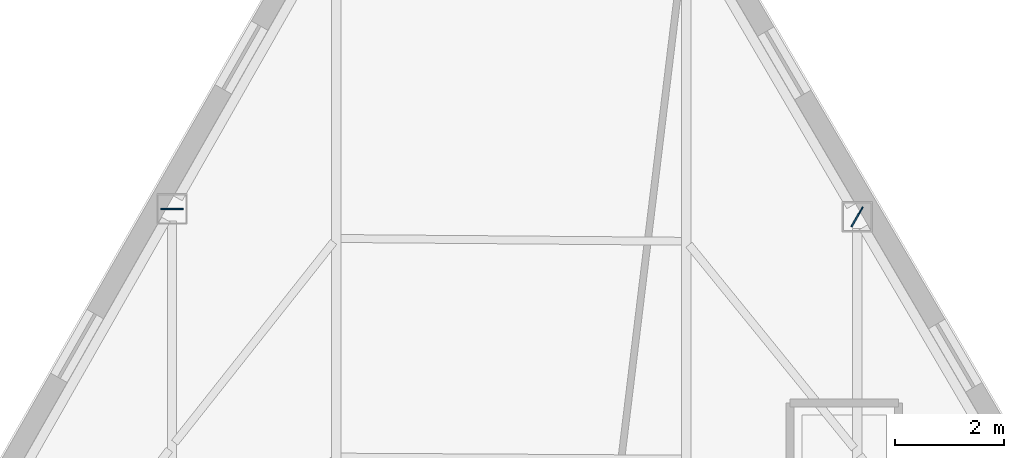
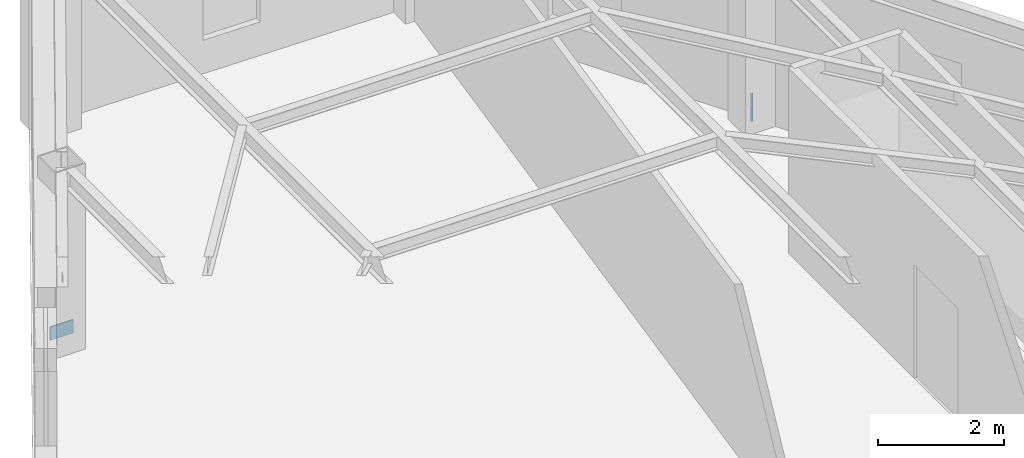
# One storey, part 6 of 10: 2 plates.
"""IFC4 building model written with IfcOpenShell, lengths in metres."""

from ifc_helpers import new_model, si_unit, direction, frame, origin, origin_2d, place, context, subcontext, project, spatial, rectangle, extrude, material, layer, layer_set, type_object, element, save


model = new_model("IFC4")

# Units and contexts
model_context = context("Model", 3, precision=1e-05, world=origin(), true_north=direction((0.0, 1.0)))
body_context = subcontext(model_context, "Body", "Model", "MODEL_VIEW")
ifc_project = project(units=[si_unit("LENGTHUNIT", "METRE"), si_unit("AREAUNIT", "SQUARE_METRE"), si_unit("VOLUMEUNIT", "CUBIC_METRE"), si_unit("PLANEANGLEUNIT", "RADIAN"), si_unit("MASSUNIT", "GRAM", prefix="KILO")], contexts=[model_context])

# Site, building, storey
site_placement = place(None, origin())
site = spatial("IfcSite", under=ifc_project, at=site_placement, CompositionType="ELEMENT")
building_placement = place(site_placement, origin())
building = spatial("IfcBuilding", under=site, at=building_placement, Name="Kavelnor Concourse Tower", CompositionType="ELEMENT")
storey_placement = place(building_placement, frame((0.0, 0.0, 254.89990234375)))
storey = spatial("IfcBuildingStorey", under=building, at=storey_placement, Name="L64", CompositionType="ELEMENT", Elevation=254.89990234375)

# Plates
ifc_material = material(Name="Steel Grade 350", Category="steel")
ifc_layer = layer(ifc_material, 0.02490234375, Name="Steel Grade 350")
ifc_layer_set = layer_set([ifc_layer], Name="Steel Grade 350")
plate_type = type_object("IfcPlateType", Name="PL-SPLICE-FLANGE", PredefinedType="SHEET", material=ifc_layer_set)
for number, where, z_axis, x_axis, name in (
    (1, (31.81982421875, 37.976318359375, 0.169921875), (0.0, 0.0, 1.0), (1.0, 0.0, 0.0), "L64 Column Flange Splice Plate F0-B1"),
    (2, (44.437255859375, 37.831787109375, 0.169921875), (0.0, 0.0, 1.0), (-0.5, -0.866025403784, 0.0), "L64 Column Flange Splice Plate F2-B5"),
):
    element("IfcPlate", number, at=place(storey_placement, frame(where, z_axis=z_axis, x_axis=x_axis)), inside=storey, type_object=plate_type, Name=name, PredefinedType="SHEET", context=body_context, shape_type="SweptSolid", body=[
        extrude(rectangle(XDim=0.419921875, YDim=0.02490234375, at=origin_2d()), origin(), (0.0, 0.0, 1.0), 0.260009765625),
    ])

save(model, "model.ifc")
